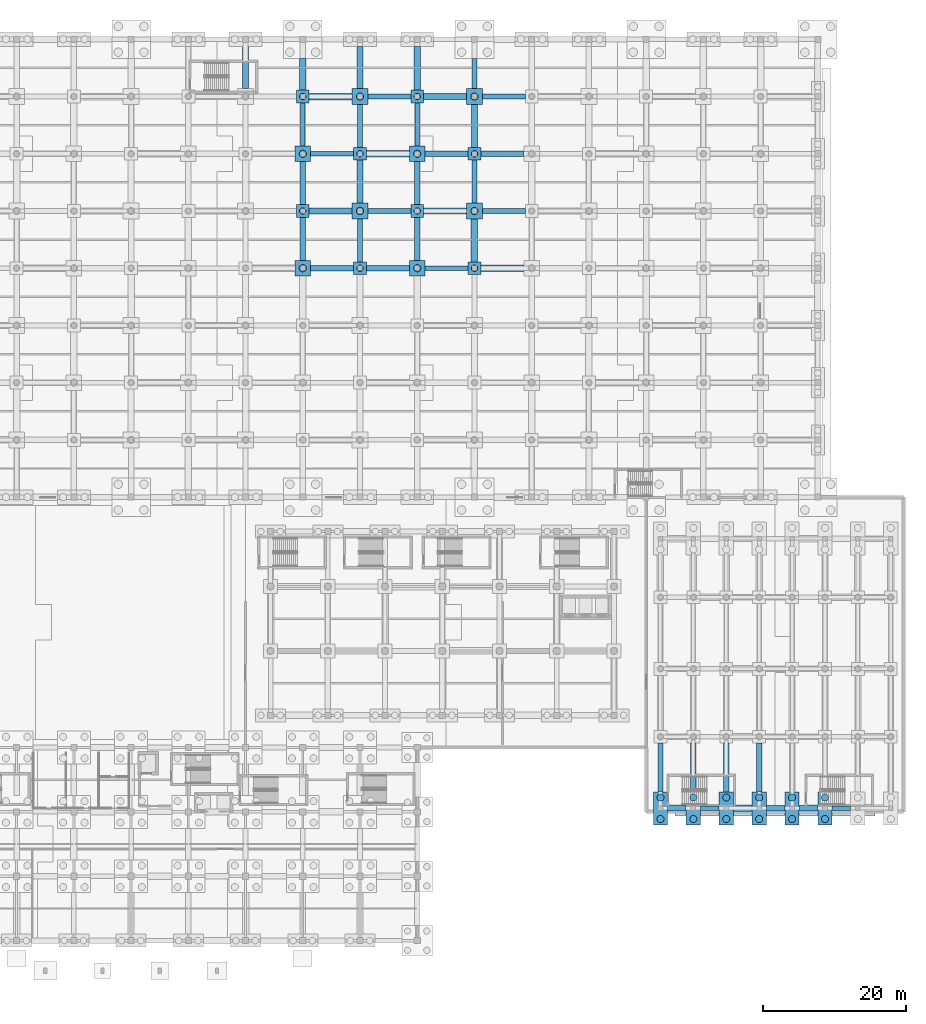
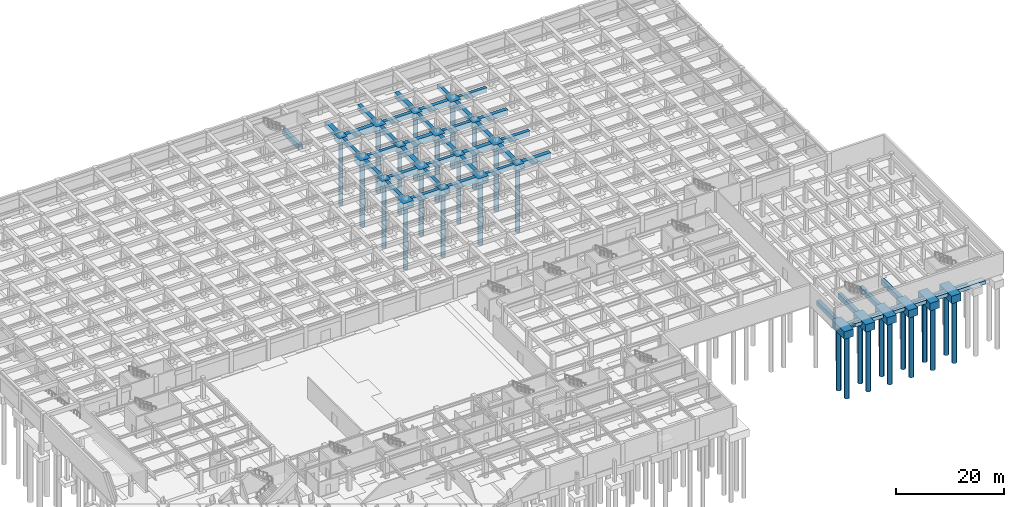
# One storey, part 11 of 48: 66 footings, 28 piles.
"""IFC4 building model written with IfcOpenShell, lengths in metres."""

from ifc_helpers import new_model, si_unit, direction, frame, origin, origin_2d, place, context, subcontext, project, spatial, polyline, rectangle, circle, outline, extrude, material, layer, layer_set, material_profile, profile_set, type_object, element, save


model = new_model("IFC4")

# Units and contexts
model_context = context("Model", 3, precision=1e-05, world=origin(), true_north=direction((0.0, 1.0)))
body_context = subcontext(model_context, "Body", "Model", "MODEL_VIEW")
ifc_project = project(units=[si_unit("LENGTHUNIT", "METRE"), si_unit("AREAUNIT", "SQUARE_METRE"), si_unit("VOLUMEUNIT", "CUBIC_METRE"), si_unit("PLANEANGLEUNIT", "RADIAN"), si_unit("MASSUNIT", "GRAM", prefix="KILO")], contexts=[model_context])

# Site, building, storey
site_placement = place(None, origin())
site = spatial("IfcSite", under=ifc_project, at=site_placement, CompositionType="ELEMENT")
building_placement = place(site_placement, origin())
building = spatial("IfcBuilding", under=site, at=building_placement, Name="Tlacozan Convention Centre", CompositionType="ELEMENT")
storey_placement = place(building_placement, frame((0.0, 0.0, -4.800048828125)))
storey = spatial("IfcBuildingStorey", under=building, at=storey_placement, Name="B01", CompositionType="ELEMENT", Elevation=-4.800048828125)

# Footings
ifc_material = material(Name="Concrete C35/45", Category="concrete")
ifc_layer_1 = layer(ifc_material, 1.0)
ifc_layer_set_1 = layer_set([ifc_layer_1], Name="Concrete C35/45")
footing_type_1 = type_object("IfcFootingType", Name="Foundation Tie Beam 650x1000", PredefinedType="FOOTING_BEAM", material=ifc_layer_set_1)
footing_1_placement = place(storey_placement, frame((0.0, 0.0, -1.0)))
element("IfcFooting", 1, at=footing_1_placement, inside=storey, type_object=footing_type_1, Name="Foundation Tie Beam X-41", PredefinedType="FOOTING_BEAM", context=body_context, shape_type="SweptSolid", body=[
    extrude(outline(polyline([(151.60009765625, 18.175048828125), (154.199951171875, 18.175048828125), (154.199951171875, 18.824951171875), (151.60009765625, 18.824951171875), (151.60009765625, 18.175048828125)])), origin(), (0.0, 0.0, 1.0), 1.0),
])
footing_2_placement = place(storey_placement, frame((0.0, 0.0, -1.0)))
element("IfcFooting", 2, at=footing_2_placement, inside=storey, type_object=footing_type_1, Name="Foundation Tie Beam X-45", PredefinedType="FOOTING_BEAM", context=body_context, shape_type="SweptSolid", body=[
    extrude(outline(polyline([(170.0, 18.175048828125), (172.60009765625, 18.175048828125), (172.60009765625, 18.824951171875), (170.0, 18.824951171875), (170.0, 18.175048828125)])), origin(), (0.0, 0.0, 1.0), 1.0),
])
footing_3_placement = place(storey_placement, frame((0.0, 0.0, -1.0)))
element("IfcFooting", 3, at=footing_3_placement, inside=storey, type_object=footing_type_1, Name="Foundation Tie Beam X-225", PredefinedType="FOOTING_BEAM", context=body_context, shape_type="SweptSolid", body=[
    extrude(outline(polyline([(113.10009765625, 93.675048828125), (119.10009765625, 93.675048828125), (119.10009765625, 94.324951171875), (113.10009765625, 94.324951171875), (113.10009765625, 93.675048828125)])), origin(), (0.0, 0.0, 1.0), 1.0),
])
footing_4_placement = place(storey_placement, frame((0.0, 0.0, -1.0)))
element("IfcFooting", 4, at=footing_4_placement, inside=storey, type_object=footing_type_1, Name="Foundation Tie Beam X-245", PredefinedType="FOOTING_BEAM", context=body_context, shape_type="SweptSolid", body=[
    extrude(outline(polyline([(105.10009765625, 101.675048828125), (111.10009765625, 101.675048828125), (111.10009765625, 102.324951171875), (105.10009765625, 102.324951171875), (105.10009765625, 101.675048828125)])), origin(), (0.0, 0.0, 1.0), 1.0),
])
footing_5_placement = place(storey_placement, frame((0.0, 0.0, -1.0)))
element("IfcFooting", 5, at=footing_5_placement, inside=storey, type_object=footing_type_1, Name="Foundation Tie Beam X-265", PredefinedType="FOOTING_BEAM", context=body_context, shape_type="SweptSolid", body=[
    extrude(outline(polyline([(97.10009765625, 109.675048828125), (103.10009765625, 109.675048828125), (103.10009765625, 110.324951171875), (97.10009765625, 110.324951171875), (97.10009765625, 109.675048828125)])), origin(), (0.0, 0.0, 1.0), 1.0),
])
footing_6_placement = place(storey_placement, frame((0.0, 0.0, -1.0)))
element("IfcFooting", 6, at=footing_6_placement, inside=storey, type_object=footing_type_1, Name="Foundation Tie Beam X-289", PredefinedType="FOOTING_BEAM", context=body_context, shape_type="SweptSolid", body=[
    extrude(outline(polyline([(121.10009765625, 117.675048828125), (127.10009765625, 117.675048828125), (127.10009765625, 118.324951171875), (121.10009765625, 118.324951171875), (121.10009765625, 117.675048828125)])), origin(), (0.0, 0.0, 1.0), 1.0),
])
footing_7_placement = place(storey_placement, frame((0.0, 0.0, -1.0)))
element("IfcFooting", 7, at=footing_7_placement, inside=storey, type_object=footing_type_1, Name="Foundation Tie Beam Y-473", PredefinedType="FOOTING_BEAM", context=body_context, shape_type="SweptSolid", body=[
    extrude(outline(polyline([(95.675048828125, 111.10009765625), (96.324951171875, 111.10009765625), (96.324951171875, 117.10009765625), (95.675048828125, 117.10009765625), (95.675048828125, 111.10009765625)])), origin(), (0.0, 0.0, 1.0), 1.0),
])
footing_8_placement = place(storey_placement, frame((0.0, 0.0, -1.0)))
element("IfcFooting", 8, at=footing_8_placement, inside=storey, type_object=footing_type_1, Name="Foundation Tie Beam Y-485", PredefinedType="FOOTING_BEAM", context=body_context, shape_type="SweptSolid", body=[
    extrude(outline(polyline([(103.675048828125, 94.89990234375), (104.324951171875, 94.89990234375), (104.324951171875, 100.89990234375), (103.675048828125, 100.89990234375), (103.675048828125, 94.89990234375)])), origin(), (0.0, 0.0, 1.0), 1.0),
])
footing_9_placement = place(storey_placement, frame((0.0, 0.0, -1.0)))
element("IfcFooting", 9, at=footing_9_placement, inside=storey, type_object=footing_type_1, Name="Foundation Tie Beam Y-501", PredefinedType="FOOTING_BEAM", context=body_context, shape_type="SweptSolid", body=[
    extrude(outline(polyline([(111.675048828125, 111.10009765625), (112.324951171875, 111.10009765625), (112.324951171875, 117.10009765625), (111.675048828125, 117.10009765625), (111.675048828125, 111.10009765625)])), origin(), (0.0, 0.0, 1.0), 1.0),
])
footing_10_placement = place(storey_placement, frame((0.0, 0.0, -1.0)))
element("IfcFooting", 10, at=footing_10_placement, inside=storey, type_object=footing_type_1, Name="Foundation Tie Beam Y-513", PredefinedType="FOOTING_BEAM", context=body_context, shape_type="SweptSolid", body=[
    extrude(outline(polyline([(119.675048828125, 119.10009765625), (120.324951171875, 119.10009765625), (120.324951171875, 123.300048828125), (119.675048828125, 123.300048828125), (119.675048828125, 119.10009765625)])), origin(), (0.0, 0.0, 1.0), 1.0),
])
ifc_layer_2 = layer(ifc_material, 1.10009765625)
ifc_layer_set_2 = layer_set([ifc_layer_2], Name="Concrete C35/45")
footing_type_2 = type_object("IfcFootingType", Name="Foundation Tie Beam 750x1100", PredefinedType="FOOTING_BEAM", material=ifc_layer_set_2)
footing_11_placement = place(storey_placement, frame((0.0, 0.0, -1.099853515625)))
element("IfcFooting", 11, at=footing_11_placement, inside=storey, type_object=footing_type_2, Name="Foundation Tie Beam X-43", PredefinedType="FOOTING_BEAM", context=body_context, shape_type="SweptSolid", body=[
    extrude(outline(polyline([(160.800048828125, 18.125), (163.39990234375, 18.125), (163.39990234375, 18.875), (160.800048828125, 18.875), (160.800048828125, 18.125)])), origin(), (0.0, 0.0, 1.0), 1.099853515625),
])
footing_12_placement = place(storey_placement, frame((0.0, 0.0, -1.099853515625)))
element("IfcFooting", 12, at=footing_12_placement, inside=storey, type_object=footing_type_2, Name="Foundation Tie Beam X-223", PredefinedType="FOOTING_BEAM", context=body_context, shape_type="SweptSolid", body=[
    extrude(outline(polyline([(97.10009765625, 93.625), (103.10009765625, 93.625), (103.10009765625, 94.375), (97.10009765625, 94.375), (97.10009765625, 93.625)])), origin(), (0.0, 0.0, 1.0), 1.099853515625),
])
footing_13_placement = place(storey_placement, frame((0.0, 0.0, -1.099853515625)))
element("IfcFooting", 13, at=footing_13_placement, inside=storey, type_object=footing_type_2, Name="Foundation Tie Beam X-247", PredefinedType="FOOTING_BEAM", context=body_context, shape_type="SweptSolid", body=[
    extrude(outline(polyline([(121.10009765625, 101.625), (127.10009765625, 101.625), (127.10009765625, 102.375), (121.10009765625, 102.375), (121.10009765625, 101.625)])), origin(), (0.0, 0.0, 1.0), 1.099853515625),
])
footing_14_placement = place(storey_placement, frame((0.0, 0.0, -1.099853515625)))
element("IfcFooting", 14, at=footing_14_placement, inside=storey, type_object=footing_type_2, Name="Foundation Tie Beam X-267", PredefinedType="FOOTING_BEAM", context=body_context, shape_type="SweptSolid", body=[
    extrude(outline(polyline([(113.10009765625, 109.625), (119.10009765625, 109.625), (119.10009765625, 110.375), (113.10009765625, 110.375), (113.10009765625, 109.625)])), origin(), (0.0, 0.0, 1.0), 1.099853515625),
])
footing_15_placement = place(storey_placement, frame((0.0, 0.0, -1.099853515625)))
element("IfcFooting", 15, at=footing_15_placement, inside=storey, type_object=footing_type_2, Name="Foundation Tie Beam X-287", PredefinedType="FOOTING_BEAM", context=body_context, shape_type="SweptSolid", body=[
    extrude(outline(polyline([(105.10009765625, 117.625), (111.10009765625, 117.625), (111.10009765625, 118.375), (105.10009765625, 118.375), (105.10009765625, 117.625)])), origin(), (0.0, 0.0, 1.0), 1.099853515625),
])
footing_16_placement = place(storey_placement, frame((0.0, 0.0, -1.099853515625)))
element("IfcFooting", 16, at=footing_16_placement, inside=storey, type_object=footing_type_2, Name="Foundation Tie Beam Y-471", PredefinedType="FOOTING_BEAM", context=body_context, shape_type="SweptSolid", body=[
    extrude(outline(polyline([(95.625, 95.10009765625), (96.375, 95.10009765625), (96.375, 101.10009765625), (95.625, 101.10009765625), (95.625, 95.10009765625)])), origin(), (0.0, 0.0, 1.0), 1.099853515625),
])
footing_17_placement = place(storey_placement, frame((0.0, 0.0, -1.099853515625)))
element("IfcFooting", 17, at=footing_17_placement, inside=storey, type_object=footing_type_2, Name="Foundation Tie Beam Y-487", PredefinedType="FOOTING_BEAM", context=body_context, shape_type="SweptSolid", body=[
    extrude(outline(polyline([(103.625, 110.89990234375), (104.375, 110.89990234375), (104.375, 116.89990234375), (103.625, 116.89990234375), (103.625, 110.89990234375)])), origin(), (0.0, 0.0, 1.0), 1.099853515625),
])
footing_18_placement = place(storey_placement, frame((0.0, 0.0, -1.099853515625)))
element("IfcFooting", 18, at=footing_18_placement, inside=storey, type_object=footing_type_2, Name="Foundation Tie Beam Y-499", PredefinedType="FOOTING_BEAM", context=body_context, shape_type="SweptSolid", body=[
    extrude(outline(polyline([(111.625, 95.10009765625), (112.375, 95.10009765625), (112.375, 101.10009765625), (111.625, 101.10009765625), (111.625, 95.10009765625)])), origin(), (0.0, 0.0, 1.0), 1.099853515625),
])
footing_19_placement = place(storey_placement, frame((0.0, 0.0, -1.099853515625)))
element("IfcFooting", 19, at=footing_19_placement, inside=storey, type_object=footing_type_2, Name="Foundation Tie Beam Y-511", PredefinedType="FOOTING_BEAM", context=body_context, shape_type="SweptSolid", body=[
    extrude(outline(polyline([(119.625, 103.10009765625), (120.375, 103.10009765625), (120.375, 109.10009765625), (119.625, 109.10009765625), (119.625, 103.10009765625)])), origin(), (0.0, 0.0, 1.0), 1.099853515625),
])
footing_20_placement = place(storey_placement, frame((0.0, 0.0, -1.099853515625)))
element("IfcFooting", 20, at=footing_20_placement, inside=storey, type_object=footing_type_2, Name="Foundation Tie Beam Y-547", PredefinedType="FOOTING_BEAM", context=body_context, shape_type="SweptSolid", body=[
    extrude(outline(polyline([(145.625, 20.800048828125), (146.375, 20.800048828125), (146.375, 27.60009765625), (145.625, 27.60009765625), (145.625, 20.800048828125)])), origin(), (0.0, 0.0, 1.0), 1.099853515625),
])
footing_21_placement = place(storey_placement, frame((0.0, 0.0, -1.099853515625)))
element("IfcFooting", 21, at=footing_21_placement, inside=storey, type_object=footing_type_2, Name="Foundation Tie Beam Y-551", PredefinedType="FOOTING_BEAM", context=body_context, shape_type="SweptSolid", body=[
    extrude(outline(polyline([(150.22509765625, 20.800048828125), (150.97509765625, 20.800048828125), (150.97509765625, 27.60009765625), (150.22509765625, 27.60009765625), (150.22509765625, 20.800048828125)])), origin(), (0.0, 0.0, 1.0), 1.099853515625),
])
footing_22_placement = place(storey_placement, frame((0.0, 0.0, -1.099853515625)))
element("IfcFooting", 22, at=footing_22_placement, inside=storey, type_object=footing_type_2, Name="Foundation Tie Beam Y-563", PredefinedType="FOOTING_BEAM", context=body_context, shape_type="SweptSolid", body=[
    extrude(outline(polyline([(154.824951171875, 20.800048828125), (155.574951171875, 20.800048828125), (155.574951171875, 27.60009765625), (154.824951171875, 27.60009765625), (154.824951171875, 20.800048828125)])), origin(), (0.0, 0.0, 1.0), 1.099853515625),
])
footing_23_placement = place(storey_placement, frame((0.0, 0.0, -1.099853515625)))
element("IfcFooting", 23, at=footing_23_placement, inside=storey, type_object=footing_type_2, Name="Foundation Tie Beam Y-567", PredefinedType="FOOTING_BEAM", context=body_context, shape_type="SweptSolid", body=[
    extrude(outline(polyline([(159.425048828125, 20.800048828125), (160.175048828125, 20.800048828125), (160.175048828125, 27.60009765625), (159.425048828125, 27.60009765625), (159.425048828125, 20.800048828125)])), origin(), (0.0, 0.0, 1.0), 1.099853515625),
])
ifc_layer_3 = layer(ifc_material, 1.199951171875)
ifc_layer_set_3 = layer_set([ifc_layer_3], Name="Concrete C35/45")
footing_type_3 = type_object("IfcFootingType", Name="Foundation Tie Beam 800x1200", PredefinedType="FOOTING_BEAM", material=ifc_layer_set_3)
footing_24_placement = place(storey_placement, frame((0.0, 0.0, -1.199951171875)))
element("IfcFooting", 24, at=footing_24_placement, inside=storey, type_object=footing_type_3, Name="Foundation Tie Beam X-40", PredefinedType="FOOTING_BEAM", context=body_context, shape_type="SweptSolid", body=[
    extrude(outline(polyline([(147.0, 18.10009765625), (149.60009765625, 18.10009765625), (149.60009765625, 18.89990234375), (147.0, 18.89990234375), (147.0, 18.10009765625)])), origin(), (0.0, 0.0, 1.0), 1.199951171875),
])
footing_25_placement = place(storey_placement, frame((0.0, 0.0, -1.199951171875)))
element("IfcFooting", 25, at=footing_25_placement, inside=storey, type_object=footing_type_3, Name="Foundation Tie Beam X-44", PredefinedType="FOOTING_BEAM", context=body_context, shape_type="SweptSolid", body=[
    extrude(outline(polyline([(165.39990234375, 18.10009765625), (168.0, 18.10009765625), (168.0, 18.89990234375), (165.39990234375, 18.89990234375), (165.39990234375, 18.10009765625)])), origin(), (0.0, 0.0, 1.0), 1.199951171875),
])
footing_26_placement = place(storey_placement, frame((0.0, 0.0, -1.199951171875)))
element("IfcFooting", 26, at=footing_26_placement, inside=storey, type_object=footing_type_3, Name="Foundation Tie Beam X-224", PredefinedType="FOOTING_BEAM", context=body_context, shape_type="SweptSolid", body=[
    extrude(outline(polyline([(104.89990234375, 93.60009765625), (110.89990234375, 93.60009765625), (110.89990234375, 94.39990234375), (104.89990234375, 94.39990234375), (104.89990234375, 93.60009765625)])), origin(), (0.0, 0.0, 1.0), 1.199951171875),
])
footing_27_placement = place(storey_placement, frame((0.0, 0.0, -1.199951171875)))
element("IfcFooting", 27, at=footing_27_placement, inside=storey, type_object=footing_type_3, Name="Foundation Tie Beam X-244", PredefinedType="FOOTING_BEAM", context=body_context, shape_type="SweptSolid", body=[
    extrude(outline(polyline([(96.89990234375, 101.60009765625), (102.89990234375, 101.60009765625), (102.89990234375, 102.39990234375), (96.89990234375, 102.39990234375), (96.89990234375, 101.60009765625)])), origin(), (0.0, 0.0, 1.0), 1.199951171875),
])
footing_28_placement = place(storey_placement, frame((0.0, 0.0, -1.199951171875)))
element("IfcFooting", 28, at=footing_28_placement, inside=storey, type_object=footing_type_3, Name="Foundation Tie Beam X-268", PredefinedType="FOOTING_BEAM", context=body_context, shape_type="SweptSolid", body=[
    extrude(outline(polyline([(120.89990234375, 109.60009765625), (126.89990234375, 109.60009765625), (126.89990234375, 110.39990234375), (120.89990234375, 110.39990234375), (120.89990234375, 109.60009765625)])), origin(), (0.0, 0.0, 1.0), 1.199951171875),
])
footing_29_placement = place(storey_placement, frame((0.0, 0.0, -1.199951171875)))
element("IfcFooting", 29, at=footing_29_placement, inside=storey, type_object=footing_type_3, Name="Foundation Tie Beam X-288", PredefinedType="FOOTING_BEAM", context=body_context, shape_type="SweptSolid", body=[
    extrude(outline(polyline([(112.89990234375, 117.60009765625), (118.89990234375, 117.60009765625), (118.89990234375, 118.39990234375), (112.89990234375, 118.39990234375), (112.89990234375, 117.60009765625)])), origin(), (0.0, 0.0, 1.0), 1.199951171875),
])
footing_30_placement = place(storey_placement, frame((0.0, 0.0, -1.199951171875)))
element("IfcFooting", 30, at=footing_30_placement, inside=storey, type_object=footing_type_3, Name="Foundation Tie Beam Y-460", PredefinedType="FOOTING_BEAM", context=body_context, shape_type="SweptSolid", body=[
    extrude(outline(polyline([(87.60009765625, 119.10009765625), (88.39990234375, 119.10009765625), (88.39990234375, 125.0), (87.60009765625, 125.0), (87.60009765625, 119.10009765625)])), origin(), (0.0, 0.0, 1.0), 1.199951171875),
])
footing_31_placement = place(storey_placement, frame((0.0, 0.0, -1.199951171875)))
element("IfcFooting", 31, at=footing_31_placement, inside=storey, type_object=footing_type_3, Name="Foundation Tie Beam Y-472", PredefinedType="FOOTING_BEAM", context=body_context, shape_type="SweptSolid", body=[
    extrude(outline(polyline([(95.60009765625, 102.89990234375), (96.39990234375, 102.89990234375), (96.39990234375, 108.89990234375), (95.60009765625, 108.89990234375), (95.60009765625, 102.89990234375)])), origin(), (0.0, 0.0, 1.0), 1.199951171875),
])
footing_32_placement = place(storey_placement, frame((0.0, 0.0, -1.199951171875)))
element("IfcFooting", 32, at=footing_32_placement, inside=storey, type_object=footing_type_3, Name="Foundation Tie Beam Y-488", PredefinedType="FOOTING_BEAM", context=body_context, shape_type="SweptSolid", body=[
    extrude(outline(polyline([(103.60009765625, 119.10009765625), (104.39990234375, 119.10009765625), (104.39990234375, 125.0), (103.60009765625, 125.0), (103.60009765625, 119.10009765625)])), origin(), (0.0, 0.0, 1.0), 1.199951171875),
])
footing_33_placement = place(storey_placement, frame((0.0, 0.0, -1.199951171875)))
element("IfcFooting", 33, at=footing_33_placement, inside=storey, type_object=footing_type_3, Name="Foundation Tie Beam Y-500", PredefinedType="FOOTING_BEAM", context=body_context, shape_type="SweptSolid", body=[
    extrude(outline(polyline([(111.60009765625, 102.89990234375), (112.39990234375, 102.89990234375), (112.39990234375, 108.89990234375), (111.60009765625, 108.89990234375), (111.60009765625, 102.89990234375)])), origin(), (0.0, 0.0, 1.0), 1.199951171875),
])
footing_34_placement = place(storey_placement, frame((0.0, 0.0, -1.199951171875)))
element("IfcFooting", 34, at=footing_34_placement, inside=storey, type_object=footing_type_3, Name="Foundation Tie Beam Y-512", PredefinedType="FOOTING_BEAM", context=body_context, shape_type="SweptSolid", body=[
    extrude(outline(polyline([(119.60009765625, 110.89990234375), (120.39990234375, 110.89990234375), (120.39990234375, 116.89990234375), (119.60009765625, 116.89990234375), (119.60009765625, 110.89990234375)])), origin(), (0.0, 0.0, 1.0), 1.199951171875),
])
ifc_layer_4 = layer(ifc_material, 1.300048828125)
ifc_layer_set_4 = layer_set([ifc_layer_4], Name="Concrete C35/45")
footing_type_4 = type_object("IfcFootingType", Name="Foundation Tie Beam 900x1300", PredefinedType="FOOTING_BEAM", material=ifc_layer_set_4)
footing_35_placement = place(storey_placement, frame((0.0, 0.0, -1.300048828125)))
element("IfcFooting", 35, at=footing_35_placement, inside=storey, type_object=footing_type_4, Name="Foundation Tie Beam X-42", PredefinedType="FOOTING_BEAM", context=body_context, shape_type="SweptSolid", body=[
    extrude(outline(polyline([(156.199951171875, 18.050048828125), (158.800048828125, 18.050048828125), (158.800048828125, 18.949951171875), (156.199951171875, 18.949951171875), (156.199951171875, 18.050048828125)])), origin(), (0.0, 0.0, 1.0), 1.300048828125),
])
footing_36_placement = place(storey_placement, frame((0.0, 0.0, -1.300048828125)))
element("IfcFooting", 36, at=footing_36_placement, inside=storey, type_object=footing_type_4, Name="Foundation Tie Beam X-226", PredefinedType="FOOTING_BEAM", context=body_context, shape_type="SweptSolid", body=[
    extrude(outline(polyline([(120.89990234375, 93.550048828125), (126.89990234375, 93.550048828125), (126.89990234375, 94.449951171875), (120.89990234375, 94.449951171875), (120.89990234375, 93.550048828125)])), origin(), (0.0, 0.0, 1.0), 1.300048828125),
])
footing_37_placement = place(storey_placement, frame((0.0, 0.0, -1.300048828125)))
element("IfcFooting", 37, at=footing_37_placement, inside=storey, type_object=footing_type_4, Name="Foundation Tie Beam X-246", PredefinedType="FOOTING_BEAM", context=body_context, shape_type="SweptSolid", body=[
    extrude(outline(polyline([(112.89990234375, 101.550048828125), (118.89990234375, 101.550048828125), (118.89990234375, 102.449951171875), (112.89990234375, 102.449951171875), (112.89990234375, 101.550048828125)])), origin(), (0.0, 0.0, 1.0), 1.300048828125),
])
footing_38_placement = place(storey_placement, frame((0.0, 0.0, -1.300048828125)))
element("IfcFooting", 38, at=footing_38_placement, inside=storey, type_object=footing_type_4, Name="Foundation Tie Beam X-266", PredefinedType="FOOTING_BEAM", context=body_context, shape_type="SweptSolid", body=[
    extrude(outline(polyline([(104.89990234375, 109.550048828125), (110.89990234375, 109.550048828125), (110.89990234375, 110.449951171875), (104.89990234375, 110.449951171875), (104.89990234375, 109.550048828125)])), origin(), (0.0, 0.0, 1.0), 1.300048828125),
])
footing_39_placement = place(storey_placement, frame((0.0, 0.0, -1.300048828125)))
element("IfcFooting", 39, at=footing_39_placement, inside=storey, type_object=footing_type_4, Name="Foundation Tie Beam X-286", PredefinedType="FOOTING_BEAM", context=body_context, shape_type="SweptSolid", body=[
    extrude(outline(polyline([(96.89990234375, 117.550048828125), (102.89990234375, 117.550048828125), (102.89990234375, 118.449951171875), (96.89990234375, 118.449951171875), (96.89990234375, 117.550048828125)])), origin(), (0.0, 0.0, 1.0), 1.300048828125),
])
footing_40_placement = place(storey_placement, frame((0.0, 0.0, -1.300048828125)))
element("IfcFooting", 40, at=footing_40_placement, inside=storey, type_object=footing_type_4, Name="Foundation Tie Beam Y-474", PredefinedType="FOOTING_BEAM", context=body_context, shape_type="SweptSolid", body=[
    extrude(outline(polyline([(95.550048828125, 118.89990234375), (96.449951171875, 118.89990234375), (96.449951171875, 123.300048828125), (95.550048828125, 123.300048828125), (95.550048828125, 118.89990234375)])), origin(), (0.0, 0.0, 1.0), 1.300048828125),
])
footing_41_placement = place(storey_placement, frame((0.0, 0.0, -1.300048828125)))
element("IfcFooting", 41, at=footing_41_placement, inside=storey, type_object=footing_type_4, Name="Foundation Tie Beam Y-486", PredefinedType="FOOTING_BEAM", context=body_context, shape_type="SweptSolid", body=[
    extrude(outline(polyline([(103.550048828125, 103.10009765625), (104.449951171875, 103.10009765625), (104.449951171875, 109.10009765625), (103.550048828125, 109.10009765625), (103.550048828125, 103.10009765625)])), origin(), (0.0, 0.0, 1.0), 1.300048828125),
])
footing_42_placement = place(storey_placement, frame((0.0, 0.0, -1.300048828125)))
element("IfcFooting", 42, at=footing_42_placement, inside=storey, type_object=footing_type_4, Name="Foundation Tie Beam Y-502", PredefinedType="FOOTING_BEAM", context=body_context, shape_type="SweptSolid", body=[
    extrude(outline(polyline([(111.550048828125, 118.89990234375), (112.449951171875, 118.89990234375), (112.449951171875, 125.0), (111.550048828125, 125.0), (111.550048828125, 118.89990234375)])), origin(), (0.0, 0.0, 1.0), 1.300048828125),
])
footing_43_placement = place(storey_placement, frame((0.0, 0.0, -1.300048828125)))
element("IfcFooting", 43, at=footing_43_placement, inside=storey, type_object=footing_type_4, Name="Foundation Tie Beam Y-510", PredefinedType="FOOTING_BEAM", context=body_context, shape_type="SweptSolid", body=[
    extrude(outline(polyline([(119.550048828125, 94.89990234375), (120.449951171875, 94.89990234375), (120.449951171875, 100.89990234375), (119.550048828125, 100.89990234375), (119.550048828125, 94.89990234375)])), origin(), (0.0, 0.0, 1.0), 1.300048828125),
])
ifc_layer_5 = layer(ifc_material, 0.800048828125)
ifc_layer_set_5 = layer_set([ifc_layer_5], Name="Concrete C35/45")
footing_type_5 = type_object("IfcFootingType", Name="Perimeter Strip Footing 1200x800", PredefinedType="STRIP_FOOTING", material=ifc_layer_set_5)
footing_44_placement = place(storey_placement, frame((0.0, 0.0, -0.800048828125)))
element("IfcFooting", 44, at=footing_44_placement, inside=storey, type_object=footing_type_5, Name="Strip Footing SF-P1", PredefinedType="STRIP_FOOTING", context=body_context, shape_type="SweptSolid", body=[
    extrude(outline(polyline([(148.0, 17.5), (176.0, 17.5), (176.0, 18.699951171875), (148.0, 18.699951171875), (148.0, 17.5)])), origin(), (0.0, 0.0, 1.0), 0.800048828125),
])
ifc_layer_6 = layer(ifc_material, 1.39990234375)
ifc_layer_set_6 = layer_set([ifc_layer_6], Name="Concrete C35/45")
footing_type_6 = type_object("IfcFootingType", Name="Pile Cap 1P 1800x1800x1400", PredefinedType="PILE_CAP", material=ifc_layer_set_6)
for number, where, z_axis, x_axis, name in (
    (45, (96.0, 102.0, -1.39990234375), (0.0, 0.0, 1.0), (1.0, 0.0, 0.0), "Pile Cap PC-01 (185)"),
    (46, (96.0, 118.0, -1.39990234375), (0.0, 0.0, 1.0), (1.0, 0.0, 0.0), "Pile Cap PC-01 (187)"),
    (47, (104.0, 94.0, -1.39990234375), (0.0, 0.0, 1.0), (1.0, 0.0, 0.0), "Pile Cap PC-01 (201)"),
    (48, (104.0, 110.0, -1.39990234375), (0.0, 0.0, 1.0), (1.0, 0.0, 0.0), "Pile Cap PC-01 (203)"),
    (49, (112.0, 102.0, -1.39990234375), (0.0, 0.0, 1.0), (1.0, 0.0, 0.0), "Pile Cap PC-01 (219)"),
    (50, (112.0, 118.0, -1.39990234375), (0.0, 0.0, 1.0), (1.0, 0.0, 0.0), "Pile Cap PC-01 (221)"),
    (51, (120.0, 94.0, -1.39990234375), (0.0, 0.0, 1.0), (1.0, 0.0, 0.0), "Pile Cap PC-01 (231)"),
    (52, (120.0, 110.0, -1.39990234375), (0.0, 0.0, 1.0), (1.0, 0.0, 0.0), "Pile Cap PC-01 (233)"),
):
    element("IfcFooting", number, at=place(storey_placement, frame(where, z_axis=z_axis, x_axis=x_axis)), inside=storey, type_object=footing_type_6, Name=name, PredefinedType="PILE_CAP", context=body_context, shape_type="SweptSolid", body=[
        extrude(rectangle(XDim=1.800048828125, YDim=1.800048828125, at=origin_2d()), origin(), (0.0, 0.0, 1.0), 1.39990234375),
    ])
ifc_layer_7 = layer(ifc_material, 1.550048828125)
ifc_layer_set_7 = layer_set([ifc_layer_7], Name="Concrete C35/45")
footing_type_7 = type_object("IfcFootingType", Name="Pile Cap 1P 2200x2200x1550", PredefinedType="PILE_CAP", material=ifc_layer_set_7)
for number, where, z_axis, x_axis, name in (
    (53, (96.0, 94.0, -1.5498046875), (0.0, 0.0, 1.0), (1.0, 0.0, 0.0), "Pile Cap PC-09 (184)"),
    (54, (96.0, 110.0, -1.5498046875), (0.0, 0.0, 1.0), (1.0, 0.0, 0.0), "Pile Cap PC-09 (186)"),
    (55, (104.0, 102.0, -1.5498046875), (0.0, 0.0, 1.0), (1.0, 0.0, 0.0), "Pile Cap PC-09 (202)"),
    (56, (104.0, 118.0, -1.5498046875), (0.0, 0.0, 1.0), (1.0, 0.0, 0.0), "Pile Cap PC-09 (204)"),
    (57, (112.0, 94.0, -1.5498046875), (0.0, 0.0, 1.0), (1.0, 0.0, 0.0), "Pile Cap PC-09 (218)"),
    (58, (112.0, 110.0, -1.5498046875), (0.0, 0.0, 1.0), (1.0, 0.0, 0.0), "Pile Cap PC-09 (220)"),
    (59, (120.0, 102.0, -1.5498046875), (0.0, 0.0, 1.0), (1.0, 0.0, 0.0), "Pile Cap PC-09 (232)"),
    (60, (120.0, 118.0, -1.5498046875), (0.0, 0.0, 1.0), (1.0, 0.0, 0.0), "Pile Cap PC-09 (234)"),
):
    element("IfcFooting", number, at=place(storey_placement, frame(where, z_axis=z_axis, x_axis=x_axis)), inside=storey, type_object=footing_type_7, Name=name, PredefinedType="PILE_CAP", context=body_context, shape_type="SweptSolid", body=[
        extrude(rectangle(XDim=2.199951171875, YDim=2.199951171875, at=origin_2d()), origin(), (0.0, 0.0, 1.0), 1.550048828125),
    ])
ifc_layer_8 = layer(ifc_material, 1.699951171875)
ifc_layer_set_8 = layer_set([ifc_layer_8], Name="Concrete C35/45")
footing_type_8 = type_object("IfcFootingType", Name="Pile Cap 2P 2000x4600x1700", PredefinedType="PILE_CAP", material=ifc_layer_set_8)
for number, where, z_axis, x_axis, name in (
    (61, (146.0, 18.5, -1.69970703125), (0.0, 0.0, 1.0), (1.0, 0.0, 0.0), "Pile Cap PC-10 (275)"),
    (62, (150.60009765625, 18.5, -1.69970703125), (0.0, 0.0, 1.0), (1.0, 0.0, 0.0), "Pile Cap PC-10 (280)"),
    (63, (155.199951171875, 18.5, -1.69970703125), (0.0, 0.0, 1.0), (1.0, 0.0, 0.0), "Pile Cap PC-10 (294)"),
    (64, (159.800048828125, 18.5, -1.69970703125), (0.0, 0.0, 1.0), (1.0, 0.0, 0.0), "Pile Cap PC-10 (299)"),
    (65, (164.39990234375, 18.5, -1.69970703125), (0.0, 0.0, 1.0), (1.0, 0.0, 0.0), "Pile Cap PC-10 (313)"),
    (66, (169.0, 18.5, -1.69970703125), (0.0, 0.0, 1.0), (1.0, 0.0, 0.0), "Pile Cap PC-10 (327)"),
):
    element("IfcFooting", number, at=place(storey_placement, frame(where, z_axis=z_axis, x_axis=x_axis)), inside=storey, type_object=footing_type_8, Name=name, PredefinedType="PILE_CAP", context=body_context, shape_type="SweptSolid", body=[
        extrude(rectangle(XDim=2.0, YDim=4.60009765625, at=origin_2d()), origin(), (0.0, 0.0, 1.0), 1.699951171875),
    ])

# Piles
ifc_material_profile_1 = material_profile(ifc_material, circle(Radius=0.5, at=origin_2d()), Name="PILE D1000")
ifc_profile_set_1 = profile_set([ifc_material_profile_1], Name="Concrete C35/45")
pile_type_1 = type_object("IfcPileType", Name="Pile D1000 Bored", PredefinedType="BORED", material=ifc_profile_set_1)
for number, where, z_axis, x_axis, name in (
    (67, (96.0, 94.0, -1.429931640625), (0.0, 0.0, -1.0), (1.0, 0.0, 0.0), "Bored Pile 362"),
    (68, (96.0, 110.0, -1.429931640625), (0.0, 0.0, -1.0), (1.0, 0.0, 0.0), "Bored Pile 364"),
    (69, (104.0, 102.0, -1.429931640625), (0.0, 0.0, -1.0), (1.0, 0.0, 0.0), "Bored Pile 396"),
    (70, (104.0, 118.0, -1.429931640625), (0.0, 0.0, -1.0), (1.0, 0.0, 0.0), "Bored Pile 398"),
    (71, (112.0, 94.0, -1.429931640625), (0.0, 0.0, -1.0), (1.0, 0.0, 0.0), "Bored Pile 428"),
    (72, (112.0, 110.0, -1.429931640625), (0.0, 0.0, -1.0), (1.0, 0.0, 0.0), "Bored Pile 430"),
    (73, (120.0, 102.0, -1.429931640625), (0.0, 0.0, -1.0), (1.0, 0.0, 0.0), "Bored Pile 448"),
    (74, (120.0, 118.0, -1.429931640625), (0.0, 0.0, -1.0), (1.0, 0.0, 0.0), "Bored Pile 450"),
):
    element("IfcPile", number, at=place(storey_placement, frame(where, z_axis=z_axis, x_axis=x_axis)), inside=storey, type_object=pile_type_1, Name=name, PredefinedType="BORED", context=body_context, shape_type="SweptSolid", body=[
        extrude(circle(Radius=0.5, at=origin_2d()), origin(), (0.0, 0.0, 1.0), 14.27001953125),
    ])
for number, where, z_axis, x_axis, name in (
    (75, (146.0, 17.0, -1.579833984375), (0.0, 0.0, -1.0), (1.0, 0.0, 0.0), "Bored Pile 510"),
    (76, (146.0, 20.0, -1.579833984375), (0.0, 0.0, -1.0), (1.0, 0.0, 0.0), "Bored Pile 511"),
    (77, (150.60009765625, 17.0, -1.579833984375), (0.0, 0.0, -1.0), (1.0, 0.0, 0.0), "Bored Pile 517"),
    (78, (150.60009765625, 20.0, -1.579833984375), (0.0, 0.0, -1.0), (1.0, 0.0, 0.0), "Bored Pile 518"),
    (79, (155.199951171875, 17.0, -1.579833984375), (0.0, 0.0, -1.0), (1.0, 0.0, 0.0), "Bored Pile 535"),
    (80, (155.199951171875, 20.0, -1.579833984375), (0.0, 0.0, -1.0), (1.0, 0.0, 0.0), "Bored Pile 536"),
    (81, (159.800048828125, 17.0, -1.579833984375), (0.0, 0.0, -1.0), (1.0, 0.0, 0.0), "Bored Pile 542"),
    (82, (159.800048828125, 20.0, -1.579833984375), (0.0, 0.0, -1.0), (1.0, 0.0, 0.0), "Bored Pile 543"),
    (83, (164.39990234375, 17.0, -1.579833984375), (0.0, 0.0, -1.0), (1.0, 0.0, 0.0), "Bored Pile 560"),
    (84, (164.39990234375, 20.0, -1.579833984375), (0.0, 0.0, -1.0), (1.0, 0.0, 0.0), "Bored Pile 561"),
    (85, (169.0, 17.0, -1.579833984375), (0.0, 0.0, -1.0), (1.0, 0.0, 0.0), "Bored Pile 589"),
    (86, (169.0, 20.0, -1.579833984375), (0.0, 0.0, -1.0), (1.0, 0.0, 0.0), "Bored Pile 590"),
):
    element("IfcPile", number, at=place(storey_placement, frame(where, z_axis=z_axis, x_axis=x_axis)), inside=storey, type_object=pile_type_1, Name=name, PredefinedType="BORED", context=body_context, shape_type="SweptSolid", body=[
        extrude(circle(Radius=0.5, at=origin_2d()), origin(), (0.0, 0.0, 1.0), 14.1201171875),
    ])
ifc_material_profile_2 = material_profile(ifc_material, circle(Radius=0.449951171875, at=origin_2d()), Name="PILE D900")
ifc_profile_set_2 = profile_set([ifc_material_profile_2], Name="Concrete C35/45")
pile_type_2 = type_object("IfcPileType", Name="Pile D900 Bored", PredefinedType="BORED", material=ifc_profile_set_2)
for number, where, z_axis, x_axis, name in (
    (87, (96.0, 102.0, -1.280029296875), (0.0, 0.0, -1.0), (1.0, 0.0, 0.0), "Bored Pile 363"),
    (88, (96.0, 118.0, -1.280029296875), (0.0, 0.0, -1.0), (1.0, 0.0, 0.0), "Bored Pile 365"),
    (89, (104.0, 94.0, -1.280029296875), (0.0, 0.0, -1.0), (1.0, 0.0, 0.0), "Bored Pile 395"),
    (90, (104.0, 110.0, -1.280029296875), (0.0, 0.0, -1.0), (1.0, 0.0, 0.0), "Bored Pile 397"),
    (91, (112.0, 102.0, -1.280029296875), (0.0, 0.0, -1.0), (1.0, 0.0, 0.0), "Bored Pile 429"),
    (92, (112.0, 118.0, -1.280029296875), (0.0, 0.0, -1.0), (1.0, 0.0, 0.0), "Bored Pile 431"),
    (93, (120.0, 94.0, -1.280029296875), (0.0, 0.0, -1.0), (1.0, 0.0, 0.0), "Bored Pile 447"),
    (94, (120.0, 110.0, -1.280029296875), (0.0, 0.0, -1.0), (1.0, 0.0, 0.0), "Bored Pile 449"),
):
    element("IfcPile", number, at=place(storey_placement, frame(where, z_axis=z_axis, x_axis=x_axis)), inside=storey, type_object=pile_type_2, Name=name, PredefinedType="BORED", context=body_context, shape_type="SweptSolid", body=[
        extrude(circle(Radius=0.449951171875, at=origin_2d()), origin(), (0.0, 0.0, 1.0), 14.419921875),
    ])

save(model, "model.ifc")
